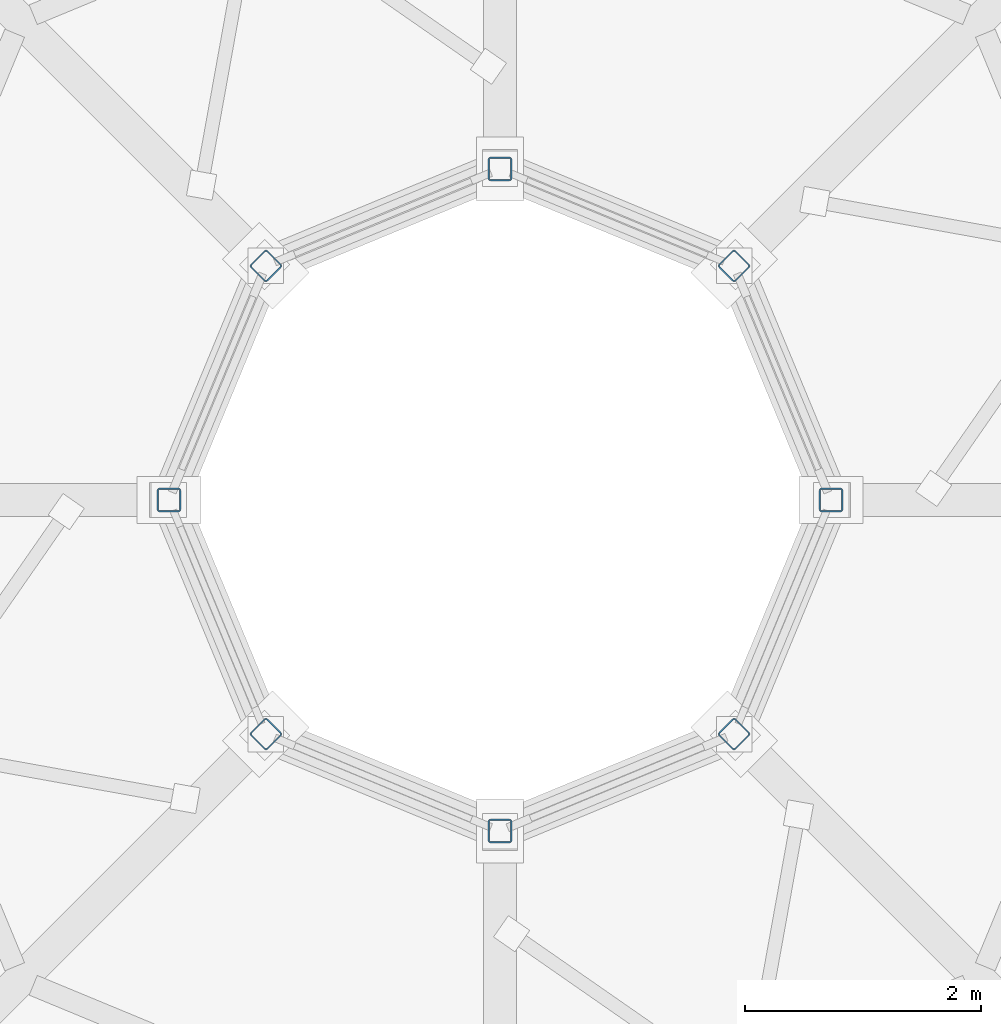
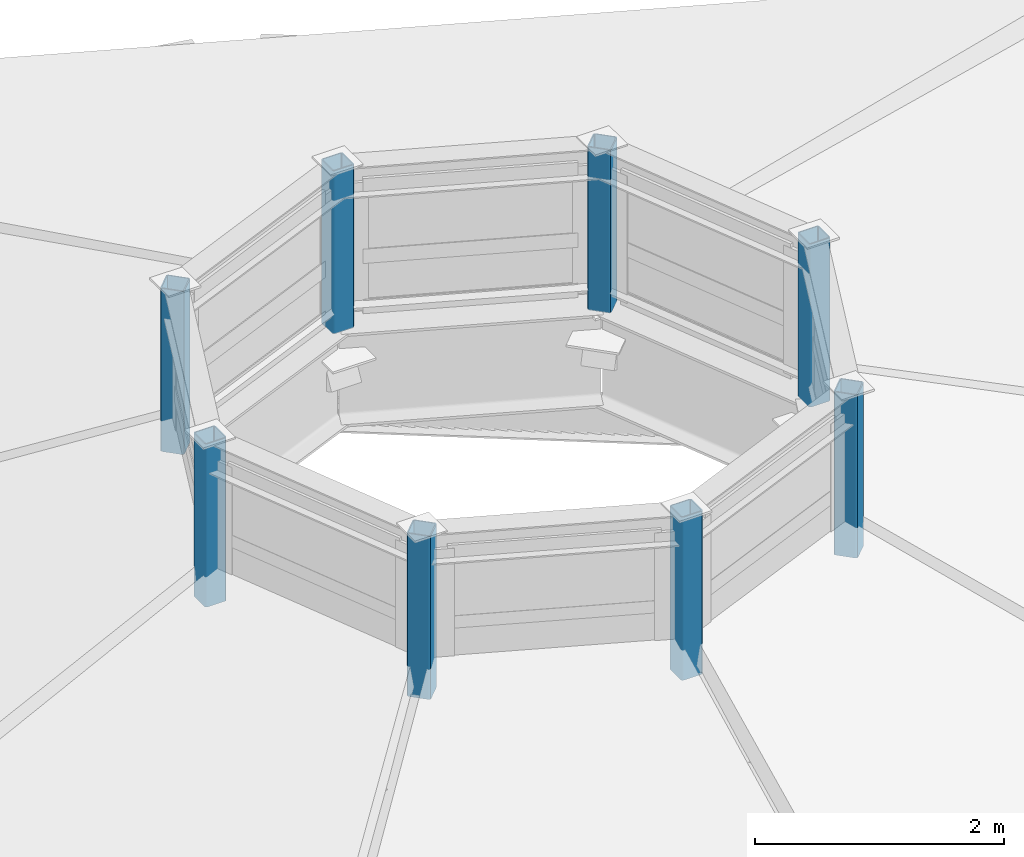
# One storey, part 13 of 66: 8 columns.
"""IFC4 building model written with IfcOpenShell, lengths in metres."""

from ifc_helpers import new_model, si_unit, direction, frame, origin, origin_2d, place, context, subcontext, project, spatial, hollow_rectangle, extrude, material, material_profile, profile_set, type_object, element, save


model = new_model("IFC4")

# Units and contexts
model_context = context("Model", 3, precision=1e-05, world=origin(), true_north=direction((0.0, 1.0)))
body_context = subcontext(model_context, "Body", "Model", "MODEL_VIEW")
ifc_project = project(units=[si_unit("LENGTHUNIT", "METRE"), si_unit("AREAUNIT", "SQUARE_METRE"), si_unit("VOLUMEUNIT", "CUBIC_METRE"), si_unit("PLANEANGLEUNIT", "RADIAN"), si_unit("MASSUNIT", "GRAM", prefix="KILO")], contexts=[model_context])

# Site, building, storey
site_placement = place(None, origin())
site = spatial("IfcSite", under=ifc_project, at=site_placement, CompositionType="ELEMENT")
building_placement = place(site_placement, origin())
building = spatial("IfcBuilding", under=site, at=building_placement, Name="Caldaven Crescent School", CompositionType="ELEMENT")
storey_placement = place(building_placement, frame((0.0, 0.0, 8.159912109375)))
storey = spatial("IfcBuildingStorey", under=building, at=storey_placement, Name="L02", CompositionType="ELEMENT", Elevation=8.159912109375)

# Columns
ifc_material = material(Name="Steel ASTM A572 Grade 50", Category="steel")
ifc_material_profile = material_profile(ifc_material, hollow_rectangle(XDim=0.199951171875, YDim=0.199951171875, WallThickness=0.010009765625, InnerFilletRadius=0.010009765625, OuterFilletRadius=0.02001953125, at=origin_2d()), Name="HSS 200x200x10")
ifc_profile_set = profile_set([ifc_material_profile], Name="Steel ASTM A572 Grade 50")
column_type = type_object("IfcColumnType", Name="COL-HS20", PredefinedType="COLUMN", material=ifc_profile_set)
for number, where, z_axis, x_axis, name in (
    (1, (155.300048828125, 98.5, 7.4501953125), (0.0, 0.0, 1.0), (1.0, 0.0, 0.0), "KP-V1-00"),
    (2, (154.47998046875, 100.47998046875, 7.4501953125), (0.0, 0.0, 1.0), (0.707106781187, 0.707106781187, 0.0), "KP-V1-01"),
    (3, (152.5, 101.300048828125, 7.4501953125), (0.0, 0.0, 1.0), (0.0, 1.0, 0.0), "KP-V1-02"),
    (4, (150.52001953125, 100.47998046875, 7.4501953125), (0.0, 0.0, 1.0), (-0.707106781187, 0.707106781187, 0.0), "KP-V1-03"),
    (5, (149.699951171875, 98.5, 7.4501953125), (0.0, 0.0, 1.0), (-1.0, 0.0, 0.0), "KP-V1-04"),
    (6, (150.52001953125, 96.52001953125, 7.4501953125), (0.0, 0.0, 1.0), (-0.707106781187, -0.707106781187, 0.0), "KP-V1-05"),
    (7, (152.5, 95.699951171875, 7.4501953125), (0.0, 0.0, 1.0), (0.0, -1.0, 0.0), "KP-V1-06"),
    (8, (154.47998046875, 96.52001953125, 7.4501953125), (0.0, 0.0, 1.0), (0.707106781187, -0.707106781187, 0.0), "KP-V1-07"),
):
    element("IfcColumn", number, at=place(storey_placement, frame(where, z_axis=z_axis, x_axis=x_axis)), inside=storey, type_object=column_type, Name=name, PredefinedType="COLUMN", context=body_context, shape_type="SweptSolid", body=[
        extrude(hollow_rectangle(XDim=0.199951171875, YDim=0.199951171875, WallThickness=0.010009765625, InnerFilletRadius=0.010009765625, OuterFilletRadius=0.02001953125, at=origin_2d()), origin(), (0.0, 0.0, 1.0), 1.599853515625),
    ])

save(model, "model.ifc")
